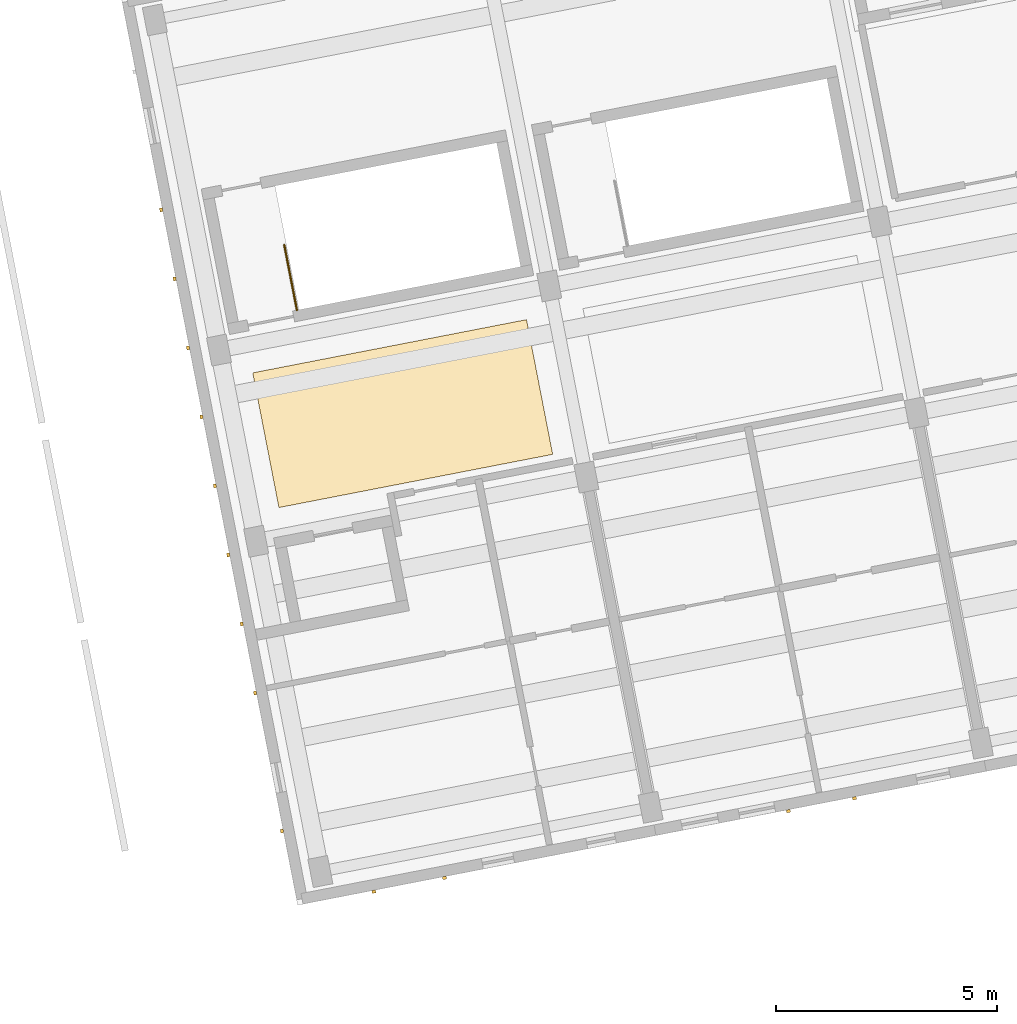
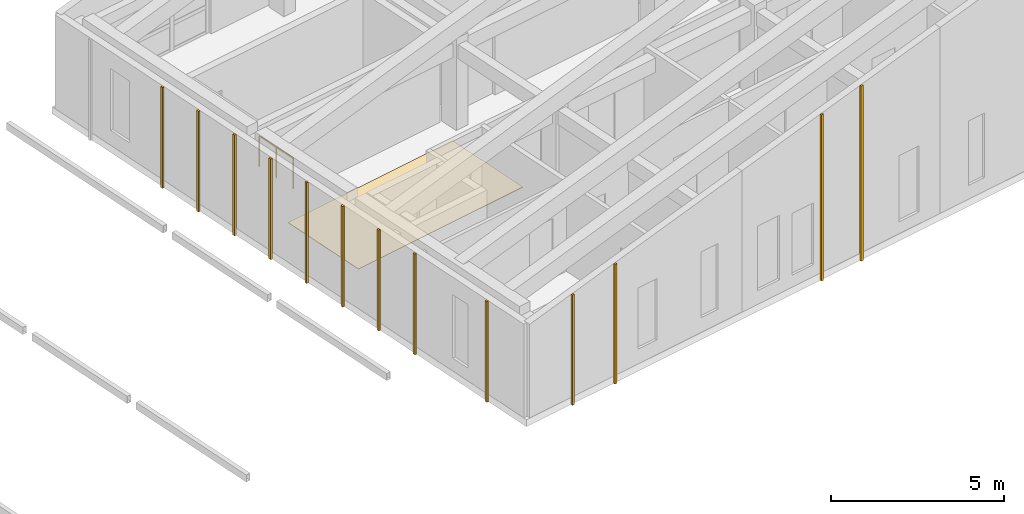
# One storey, part 49 of 56: 14 coverings, 1 railing.
"""IFC4 building model written with IfcOpenShell, lengths in metres."""

from ifc_helpers import new_model, si_unit, direction, frame, origin, origin_2d, place, context, subcontext, project, spatial, polyline, rectangle, circle, outline, extrude, material, layer, layer_set, type_object, element, save


model = new_model("IFC4")

# Units and contexts
model_context = context("Model", 3, precision=1e-05, world=origin(), true_north=direction((0.0, 1.0)))
body_context = subcontext(model_context, "Body", "Model", "MODEL_VIEW")
ifc_project = project(units=[si_unit("LENGTHUNIT", "METRE"), si_unit("AREAUNIT", "SQUARE_METRE"), si_unit("VOLUMEUNIT", "CUBIC_METRE"), si_unit("PLANEANGLEUNIT", "RADIAN"), si_unit("MASSUNIT", "GRAM", prefix="KILO")], contexts=[model_context])

# Site, building, storey
site_placement = place(None, origin())
site = spatial("IfcSite", under=ifc_project, at=site_placement, CompositionType="ELEMENT")
building_placement = place(site_placement, origin())
building = spatial("IfcBuilding", under=site, at=building_placement, Name="Kestramere Prow Commons", CompositionType="ELEMENT")
storey_placement = place(building_placement, frame((0.0, 0.0, 27.89990234375)))
storey = spatial("IfcBuildingStorey", under=building, at=storey_placement, Name="L08", CompositionType="ELEMENT", Elevation=27.89990234375)

# Coverings
ifc_material_1 = material(Name="Weathered Zinc-Titanium Standing-Seam Cladding")
ifc_layer_1 = layer(ifc_material_1, 0.074951171875)
ifc_layer_set_1 = layer_set([ifc_layer_1], Name="Weathered Zinc-Titanium Standing-Seam Cladding")
covering_type_1 = type_object("IfcCoveringType", Name="COV-CLAD-SEAM", PredefinedType="CLADDING", material=ifc_layer_set_1)
covering_1_placement = place(storey_placement, frame((143.585205078125, 38.205322265625, -0.249755859375), z_axis=(0.0, 0.0, 1.0), x_axis=(-0.981627183448, -0.190808995377, 0.0)))
element("IfcCovering", 1, at=covering_1_placement, inside=storey, type_object=covering_type_1, Name="EW-D-L08-S-3 Standing-Seam Rib 3", PredefinedType="CLADDING", context=body_context, shape_type="SweptSolid", body=[
    extrude(rectangle(XDim=0.0849609375, YDim=0.06494140625, at=origin_2d()), origin(), (0.0, 0.0, 1.0), 4.2275390625),
])
covering_2_placement = place(storey_placement, frame((141.990234375, 37.895263671875, -0.25), z_axis=(0.0, 0.0, 1.0), x_axis=(-0.981627183448, -0.190808995377, 0.0)))
element("IfcCovering", 2, at=covering_2_placement, inside=storey, type_object=covering_type_1, Name="EW-D-L08-S-3 Standing-Seam Rib 4", PredefinedType="CLADDING", context=body_context, shape_type="SweptSolid", body=[
    extrude(rectangle(XDim=0.0849609375, YDim=0.06494140625, at=origin_2d()), origin(), (0.0, 0.0, 1.0), 3.891357421875),
])
covering_3_placement = place(storey_placement, frame((152.846923828125, 40.005615234375, -0.25), z_axis=(0.0, 0.0, 1.0), x_axis=(-0.981627183448, -0.190808995377, 0.0)))
element("IfcCovering", 3, at=covering_3_placement, inside=storey, type_object=covering_type_1, Name="EW-D-L08-S-4 Standing-Seam Rib 2", PredefinedType="CLADDING", context=body_context, shape_type="SweptSolid", body=[
    extrude(rectangle(XDim=0.0849609375, YDim=0.06494140625, at=origin_2d()), origin(), (0.0, 0.0, 1.0), 6.180419921875),
])
covering_4_placement = place(storey_placement, frame((151.35498046875, 39.715576171875, -0.249755859375), z_axis=(0.0, 0.0, 1.0), x_axis=(-0.981627183448, -0.190808995377, 0.0)))
element("IfcCovering", 4, at=covering_4_placement, inside=storey, type_object=covering_type_1, Name="EW-D-L08-S-4 Standing-Seam Rib 3", PredefinedType="CLADDING", context=body_context, shape_type="SweptSolid", body=[
    extrude(rectangle(XDim=0.0849609375, YDim=0.06494140625, at=origin_2d()), origin(), (0.0, 0.0, 1.0), 5.86572265625),
])
for number, where, z_axis, x_axis, name in (
    (5, (139.9130859375, 39.26513671875, -0.25), (0.0, 0.0, 1.0), (-0.190808995377, 0.981627183448, 0.0), "EW-D-L08-EAV Standing-Seam Rib 1"),
    (6, (139.306884765625, 42.383544921875, -0.25), (0.0, 0.0, 1.0), (-0.190808995377, 0.981627183448, 0.0), "EW-D-L08-EAV Standing-Seam Rib 3"),
    (7, (139.00390625, 43.94287109375, -0.25), (0.0, 0.0, 1.0), (-0.190808995377, 0.981627183448, 0.0), "EW-D-L08-EAV Standing-Seam Rib 4"),
    (8, (138.70068359375, 45.502197265625, -0.25), (0.0, 0.0, 1.0), (-0.190808995377, 0.981627183448, 0.0), "EW-D-L08-EAV Standing-Seam Rib 5"),
    (9, (138.397705078125, 47.0615234375, -0.25), (0.0, 0.0, 1.0), (-0.190808995377, 0.981627183448, 0.0), "EW-D-L08-EAV Standing-Seam Rib 6"),
    (10, (138.094482421875, 48.620849609375, -0.25), (0.0, 0.0, 1.0), (-0.190808995377, 0.981627183448, 0.0), "EW-D-L08-EAV Standing-Seam Rib 7"),
    (11, (137.79150390625, 50.179931640625, -0.25), (0.0, 0.0, 1.0), (-0.190808995377, 0.981627183448, 0.0), "EW-D-L08-EAV Standing-Seam Rib 8"),
    (12, (137.48828125, 51.7392578125, -0.25), (0.0, 0.0, 1.0), (-0.190808995377, 0.981627183448, 0.0), "EW-D-L08-EAV Standing-Seam Rib 9"),
    (13, (137.185302734375, 53.298583984375, -0.25), (0.0, 0.0, 1.0), (-0.190808995377, 0.981627183448, 0.0), "EW-D-L08-EAV Standing-Seam Rib 10"),
):
    element("IfcCovering", number, at=place(storey_placement, frame(where, z_axis=z_axis, x_axis=x_axis)), inside=storey, type_object=covering_type_1, Name=name, PredefinedType="CLADDING", context=body_context, shape_type="SweptSolid", body=[
        extrude(rectangle(XDim=0.0849609375, YDim=0.06494140625, at=origin_2d()), origin(), (0.0, 0.0, 1.0), 3.554931640625),
    ])
ifc_material_2 = material(Name="Honed Cementitious Terrazzo Tile")
ifc_layer_2 = layer(ifc_material_2, 0.02001953125)
ifc_layer_set_2 = layer_set([ifc_layer_2], Name="Honed Cementitious Terrazzo Tile")
covering_type_2 = type_object("IfcCoveringType", Name="COV-FLOOR-TERRAZZO", PredefinedType="FLOORING", material=ifc_layer_set_2)
covering_5_placement = place(storey_placement, origin())
element("IfcCovering", 14, at=covering_5_placement, inside=storey, type_object=covering_type_2, Name="Block D L08 Corridor Terrazzo Flooring 4", PredefinedType="FLOORING", context=body_context, shape_type="SweptSolid", body=[
    extrude(outline(polyline([(139.844970703125, 46.572998046875), (146.029296875, 47.77490234375), (145.437744140625, 50.818115234375), (139.25341796875, 49.615966796875), (139.844970703125, 46.572998046875)])), origin(), (0.0, 0.0, 1.0), 0.02001953125),
])

# Railing
ifc_material_3 = material(Name="Galvanised Steel S275JR", Category="steel")
railing_type = type_object("IfcRailingType", Name="RL-ST-GR-1100", PredefinedType="GUARDRAIL", material=ifc_material_3)
railing_placement = place(storey_placement, frame((140.25146484375, 51.032470703125, 0.0)))
element("IfcRailing", 15, at=railing_placement, inside=storey, type_object=railing_type, Name="L08 ST-D1 top well guard 1", PredefinedType="GUARDRAIL", context=body_context, shape_type="SweptSolid", body=[
    extrude(circle(Radius=0.02392578125, at=origin_2d()), frame((0.0, 0.0, 1.076171875), z_axis=(-0.190760744451, 0.981636561247, 0.0), x_axis=(-0.981636561247, -0.190760744451, 0.0)), (0.0, 0.0, 1.0), 1.5),
    extrude(circle(Radius=0.02099609375, at=origin_2d()), origin(), (0.0, 0.0, 1.0), 1.052001953125),
    extrude(circle(Radius=0.02099609375, at=origin_2d()), frame((-0.14306640625, 0.736328125, 0.0)), (0.0, 0.0, 1.0), 1.052001953125),
    extrude(circle(Radius=0.02099609375, at=origin_2d()), frame((-0.2861328125, 1.472412109375, 0.0)), (0.0, 0.0, 1.0), 1.052001953125),
])

save(model, "model.ifc")
